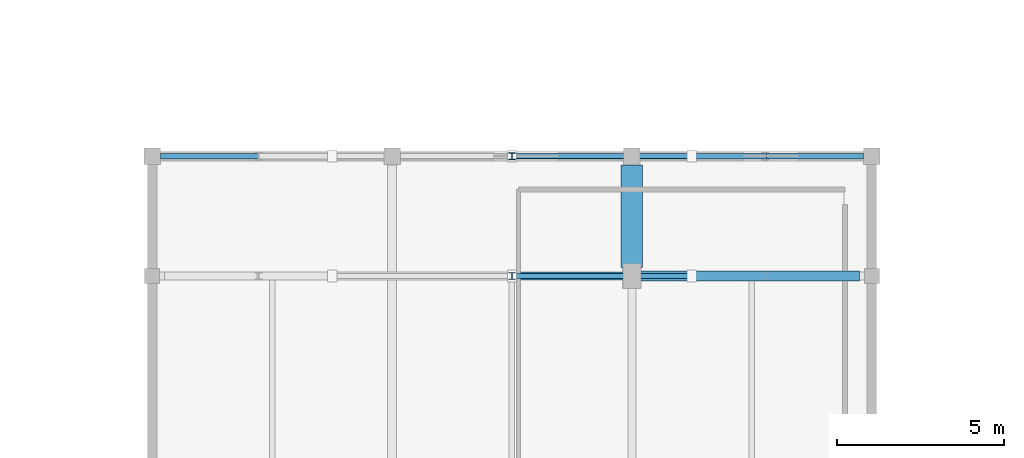
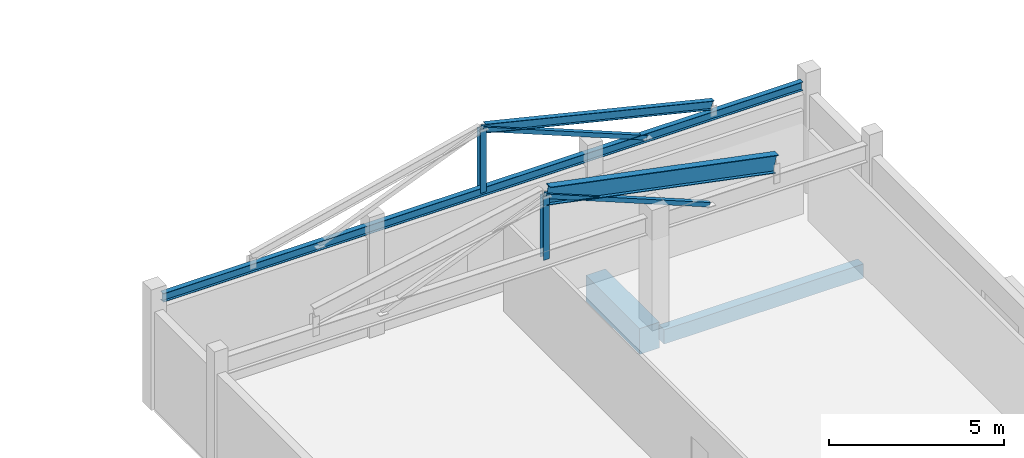
# One storey, part 38 of 90: 5 beams, 4 members.
"""IFC4 building model written with IfcOpenShell, lengths in metres."""

from ifc_helpers import new_model, si_unit, direction, frame, origin, origin_2d, place, context, subcontext, project, spatial, rectangle, hollow_rectangle, i_section, extrude, material, material_profile, profile_set, type_object, element, save


model = new_model("IFC4")

# Units and contexts
model_context = context("Model", 3, precision=1e-05, world=origin(), true_north=direction((0.0, 1.0)))
body_context = subcontext(model_context, "Body", "Model", "MODEL_VIEW")
ifc_project = project(units=[si_unit("LENGTHUNIT", "METRE"), si_unit("AREAUNIT", "SQUARE_METRE"), si_unit("VOLUMEUNIT", "CUBIC_METRE"), si_unit("PLANEANGLEUNIT", "RADIAN"), si_unit("MASSUNIT", "GRAM", prefix="KILO")], contexts=[model_context])

# Site, building, storey
site_placement = place(None, origin())
site = spatial("IfcSite", under=ifc_project, at=site_placement, CompositionType="ELEMENT")
building_placement = place(site_placement, origin())
building = spatial("IfcBuilding", under=site, at=building_placement, Name="Solanera Park Tramway Depot", CompositionType="ELEMENT")
storey_placement = place(building_placement, frame((0.0, 0.0, 9.0)))
storey = spatial("IfcBuildingStorey", under=building, at=storey_placement, Name="L02", CompositionType="ELEMENT", Elevation=9.0)

# Beams
ifc_material_1 = material(Name="Concrete N40 (C40/50)", Category="concrete")
ifc_material_profile_1 = material_profile(ifc_material_1, rectangle(XDim=0.300048828125, YDim=0.5, at=origin_2d()), Name="RCB 300x500")
ifc_profile_set_1 = profile_set([ifc_material_profile_1], Name="Concrete N40 (C40/50)")
beam_type_1 = type_object("IfcBeamType", Name="RC Floor Beam RCB 300x500", PredefinedType="BEAM", material=ifc_profile_set_1)
beam_1_placement = place(storey_placement, frame((180.25, 82.800048828125, -0.529052734375), z_axis=(1.0, 0.0, 0.0), x_axis=(0.0, 1.0, 0.0)))
element("IfcBeam", 1, at=beam_1_placement, inside=storey, type_object=beam_type_1, Name="L02 Primary X-Girder RCB 300x500 #0140", PredefinedType="BEAM", context=body_context, shape_type="SweptSolid", body=[
    extrude(rectangle(XDim=0.300048828125, YDim=0.5, at=origin_2d()), origin(), (0.0, 0.0, 1.0), 6.574951171875),
])
ifc_material_2 = material(Name="Concrete N40 (C40/50)", Category="concrete")
ifc_material_profile_2 = material_profile(ifc_material_2, rectangle(XDim=0.64990234375, YDim=0.89990234375, at=origin_2d()), Name="RCB 650x900")
ifc_profile_set_2 = profile_set([ifc_material_profile_2], Name="Concrete N40 (C40/50)")
beam_type_2 = type_object("IfcBeamType", Name="RC Floor Beam RCB 650x900", PredefinedType="BEAM", material=ifc_profile_set_2)
beam_2_placement = place(storey_placement, frame((180.0, 83.050048828125, -0.72900390625), z_axis=(0.0, 1.0, 0.0), x_axis=(-1.0, 0.0, 0.0)))
element("IfcBeam", 2, at=beam_2_placement, inside=storey, type_object=beam_type_2, Name="L02 Primary Y-Girder RCB 650x900 #0159", PredefinedType="BEAM", context=body_context, shape_type="SweptSolid", body=[
    extrude(rectangle(XDim=0.64990234375, YDim=0.89990234375, at=origin_2d()), origin(), (0.0, 0.0, 1.0), 3.074951171875),
])

# Members
ifc_material_3 = material(Name="Steel AS/NZS 3679.1 Grade 350", Category="steel")
ifc_material_profile_3 = material_profile(ifc_material_3, i_section(OverallWidth=0.205078125, OverallDepth=0.209716796875, WebThickness=0.00927734375, FlangeThickness=0.01416015625, at=origin_2d()), Name="200UC59.5")
ifc_profile_set_3 = profile_set([ifc_material_profile_3], Name="Steel AS/NZS 3679.1 Grade 350")
member_type_1 = type_object("IfcMemberType", Name="Roof Gantry Compression Strut 200UC59.5", PredefinedType="STRUT", material=ifc_profile_set_3)
member_1_placement = place(storey_placement, frame((176.39990234375, 82.800048828125, 3.494140625), z_axis=(0.0, 0.0, 1.0), x_axis=(1.0, 0.0, 0.0)))
element("IfcMember", 3, at=member_1_placement, inside=storey, type_object=member_type_1, Name="Hip ROOF TRUSS King Post #0154", PredefinedType="STRUT", context=body_context, shape_type="SweptSolid", body=[
    extrude(i_section(OverallWidth=0.205078125, OverallDepth=0.209716796875, WebThickness=0.00927734375, FlangeThickness=0.01416015625, at=origin_2d()), origin(), (0.0, 0.0, 1.0), 2.1875),
])
member_2_placement = place(storey_placement, frame((176.39990234375, 86.39990234375, 3.648193359375), z_axis=(0.0, 0.0, 1.0), x_axis=(1.0, 0.0, 0.0)))
element("IfcMember", 4, at=member_2_placement, inside=storey, type_object=member_type_1, Name="Hip ROOF TRUSS King Post #0157", PredefinedType="STRUT", context=body_context, shape_type="SweptSolid", body=[
    extrude(i_section(OverallWidth=0.205078125, OverallDepth=0.209716796875, WebThickness=0.00927734375, FlangeThickness=0.01416015625, at=origin_2d()), origin(), (0.0, 0.0, 1.0), 2.187255859375),
])

# Beams
ifc_material_4 = material(Name="Steel AS/NZS 3679.1 Grade 350", Category="steel")
ifc_material_profile_4 = material_profile(ifc_material_4, i_section(OverallWidth=0.1650390625, OverallDepth=0.3037109375, WebThickness=0.006103515625, FlangeThickness=0.01025390625, at=origin_2d()), Name="310UB40.4")
ifc_profile_set_4 = profile_set([ifc_material_profile_4], Name="Steel AS/NZS 3679.1 Grade 350")
beam_type_3 = type_object("IfcBeamType", Name="Steel Beam 310UB40.4", PredefinedType="BEAM", material=ifc_profile_set_4)
beam_3_placement = place(storey_placement, frame((165.85009765625, 86.39990234375, 3.648193359375), z_axis=(1.0, 0.0, 0.0), x_axis=(0.0, 1.0, 0.0)))
element("IfcBeam", 5, at=beam_3_placement, inside=storey, type_object=beam_type_3, Name="L02 Hip ROOF TRUSS Tie 310UB40.4 #1101", PredefinedType="BEAM", context=body_context, shape_type="SweptSolid", body=[
    extrude(i_section(OverallWidth=0.1650390625, OverallDepth=0.3037109375, WebThickness=0.006103515625, FlangeThickness=0.01025390625, at=origin_2d()), origin(), (0.0, 0.0, 1.0), 21.099853515625),
])
beam_4_placement = place(storey_placement, frame((176.4599609375, 86.39990234375, 5.83544921875), z_axis=(0.971979885496, 0.0, -0.235064038491), x_axis=(0.0, 1.0, 0.0)))
element("IfcBeam", 6, at=beam_4_placement, inside=storey, type_object=beam_type_3, Name="L02 Hip ROOF TRUSS Rafter 310UB40.4 #1103", PredefinedType="BEAM", context=body_context, shape_type="SweptSolid", body=[
    extrude(i_section(OverallWidth=0.1650390625, OverallDepth=0.3037109375, WebThickness=0.006103515625, FlangeThickness=0.01025390625, at=origin_2d()), origin(), (0.0, 0.0, 1.0), 7.75732421875),
])
ifc_material_5 = material(Name="Steel AS/NZS 3679.1 Grade 350", Category="steel")
ifc_material_profile_5 = material_profile(ifc_material_5, i_section(OverallWidth=0.22900390625, OverallDepth=0.611572265625, WebThickness=0.011962890625, FlangeThickness=0.01953125, at=origin_2d()), Name="610UB125")
ifc_profile_set_5 = profile_set([ifc_material_profile_5], Name="Steel AS/NZS 3679.1 Grade 350")
beam_type_4 = type_object("IfcBeamType", Name="Steel Beam 610UB125", PredefinedType="BEAM", material=ifc_profile_set_5)
beam_5_placement = place(storey_placement, frame((176.4599609375, 82.800048828125, 5.681640625), z_axis=(0.980383614134, 0.0, -0.197098881627), x_axis=(0.0, 1.0, 0.0)))
element("IfcBeam", 7, at=beam_5_placement, inside=storey, type_object=beam_type_4, Name="L02 Hip ROOF TRUSS Rafter 610UB125 #1100", PredefinedType="BEAM", context=body_context, shape_type="SweptSolid", body=[
    extrude(i_section(OverallWidth=0.22900390625, OverallDepth=0.611572265625, WebThickness=0.011962890625, FlangeThickness=0.01953125, at=origin_2d()), origin(), (0.0, 0.0, 1.0), 7.69091796875),
])

# Members
ifc_material_6 = material(Name="Steel AS/NZS 1163 Grade C350L0", Category="steel")
ifc_material_profile_6 = material_profile(ifc_material_6, hollow_rectangle(XDim=0.14990234375, YDim=0.14990234375, WallThickness=0.006103515625, at=origin_2d()), Name="150x150x6.0 SHS")
ifc_profile_set_6 = profile_set([ifc_material_profile_6], Name="Steel AS/NZS 1163 Grade C350L0")
member_type_2 = type_object("IfcMemberType", Name="Truss and Frame Brace 150x150x6.0 SHS", PredefinedType="BRACE", material=ifc_profile_set_6)
member_3_placement = place(storey_placement, frame((181.800048828125, 82.800048828125, 3.494140625), z_axis=(-0.926843726016, 0.0, 0.375447343239), x_axis=(0.0, -1.0, 0.0)))
element("IfcMember", 8, at=member_3_placement, inside=storey, type_object=member_type_2, Name="Hip ROOF TRUSS Web #0474", PredefinedType="BRACE", context=body_context, shape_type="SweptSolid", body=[
    extrude(hollow_rectangle(XDim=0.14990234375, YDim=0.14990234375, WallThickness=0.006103515625, at=origin_2d()), origin(), (0.0, 0.0, 1.0), 5.826416015625),
])
member_4_placement = place(storey_placement, frame((181.800048828125, 86.39990234375, 3.648193359375), z_axis=(-0.926858306857, 0.0, 0.375411346405), x_axis=(0.0, -1.0, 0.0)))
element("IfcMember", 9, at=member_4_placement, inside=storey, type_object=member_type_2, Name="Hip ROOF TRUSS Web #0476", PredefinedType="BRACE", context=body_context, shape_type="SweptSolid", body=[
    extrude(hollow_rectangle(XDim=0.14990234375, YDim=0.14990234375, WallThickness=0.006103515625, at=origin_2d()), origin(), (0.0, 0.0, 1.0), 5.826171875),
])

save(model, "model.ifc")
